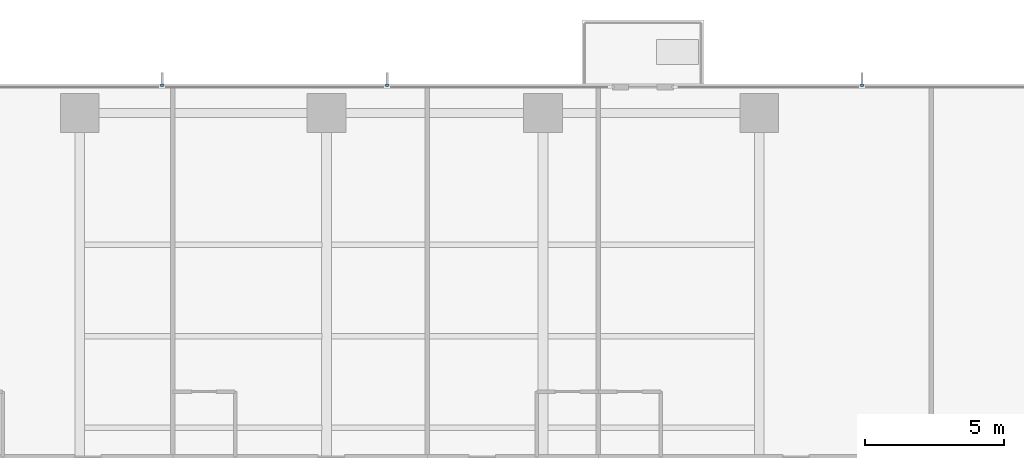
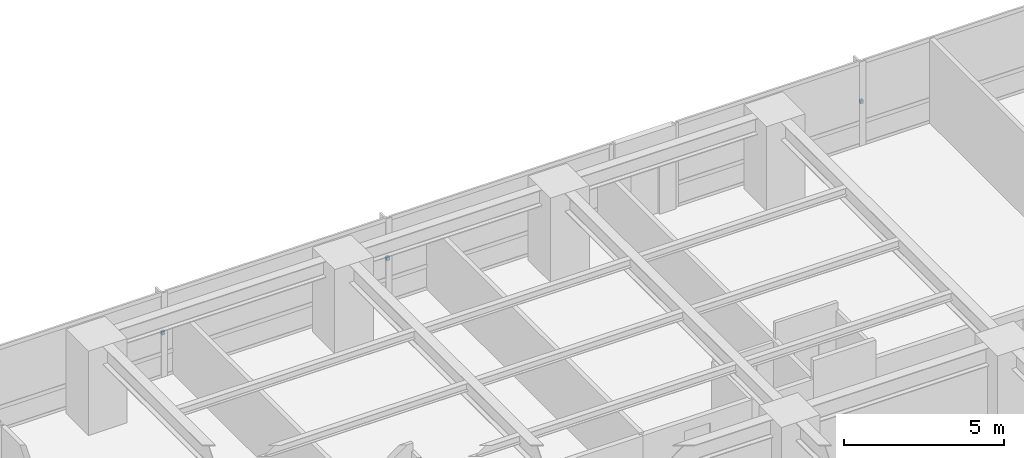
# One storey, part 14 of 16: 3 discrete accessories.
"""IFC4 building model written with IfcOpenShell, lengths in metres."""

import ifcopenshell
import ifcopenshell.guid

model = None  # the IFC model being written
_history = None  # IfcOwnerHistory: only IFC2X3 demands one
_inside = {}  # id of a spatial element -> (the spatial element, [elements in it])
_under = {}  # id of a project, library or spatial element -> (it, [spatial elements below it])
_declared = {}  # id of a project -> (the project, [libraries it declares])
_typed = {}  # id of a type object -> (the type object, [elements of that type])
_made_of = {}  # id of a material, layer set ... -> (it, [elements and type objects made of it])


def new_model(schema):
    """Start an empty IFC model of exactly this schema.

    Asked for "IFC4X3", IfcOpenShell would pick the latest addendum, in which some entities
    have other attributes; the version numbers below select the first issue.
    IFC2X3 requires an IfcOwnerHistory on every rooted entity: one is made here for all.
    """
    global model, _history
    if schema == "IFC4X3":
        model = ifcopenshell.file(schema_version=(4, 3, 0, 0))
    else:
        model = ifcopenshell.file(schema=schema)
    _inside.clear()
    _under.clear()
    _declared.clear()
    _typed.clear()
    _made_of.clear()
    _history = None
    if model.schema == "IFC2X3":
        org = make("IfcOrganization", Name="unknown")
        user = make(
            "IfcPersonAndOrganization",
            ThePerson=make("IfcPerson", FamilyName="unknown"),
            TheOrganization=org,
        )
        app = make(
            "IfcApplication",
            ApplicationDeveloper=org,
            Version="unknown",
            ApplicationFullName="unknown",
            ApplicationIdentifier="unknown",
        )
        _history = make(
            "IfcOwnerHistory",
            OwningUser=user,
            OwningApplication=app,
            ChangeAction="ADDED",
            CreationDate=0,
        )
    return model


def make(cls, **values):
    """One entity of the class cls with the attributes given. An attribute that is None is left unset."""
    return model.create_entity(
        cls, **{name: value for name, value in values.items() if value is not None}
    )


def rooted(cls, **values):
    """An entity with a GlobalId (a new one), such as an element, a storey or a relation."""
    return make(cls, GlobalId=ifcopenshell.guid.new(), OwnerHistory=_history, **values)


def si_unit(unit_type, name, prefix=None):
    """IfcSIUnit, for example si_unit("LENGTHUNIT", "METRE", prefix="MILLI")."""
    return make("IfcSIUnit", UnitType=unit_type, Prefix=prefix, Name=name)


def assignment(units):
    """IfcUnitAssignment: the units of a project."""
    return None if units is None else make("IfcUnitAssignment", Units=units)


def point(xyz):
    """IfcCartesianPoint."""
    return None if xyz is None else make("IfcCartesianPoint", Coordinates=xyz)


def direction(xyz):
    """IfcDirection."""
    return None if xyz is None else make("IfcDirection", DirectionRatios=xyz)


def frame(location, z_axis=None, x_axis=None):
    """IfcAxis2Placement3D, a coordinate frame: its origin and axes. An axis left out is left unset."""
    return make(
        "IfcAxis2Placement3D",
        Location=point(location),
        Axis=direction(z_axis),
        RefDirection=direction(x_axis),
    )


def origin():
    """The frame at (0, 0, 0) with its axes left unset."""
    return frame((0.0, 0.0, 0.0))


def place(relative_to, where):
    """IfcLocalPlacement: puts the frame where relative to a parent placement (None: the world)."""
    return make(
        "IfcLocalPlacement", PlacementRelTo=relative_to, RelativePlacement=where
    )


def context(
    kind, dimensions, precision=None, world=None, true_north=None, identifier=None
):
    """IfcGeometricRepresentationContext, for example the 3D "Model" context."""
    return make(
        "IfcGeometricRepresentationContext",
        ContextIdentifier=identifier,
        ContextType=kind,
        CoordinateSpaceDimension=dimensions,
        Precision=precision,
        WorldCoordinateSystem=world,
        TrueNorth=true_north,
    )


def subcontext(parent, identifier, kind, view, scale=None):
    """IfcGeometricRepresentationSubContext, for example "Body" below "Model"."""
    return make(
        "IfcGeometricRepresentationSubContext",
        ContextIdentifier=identifier,
        ContextType=kind,
        ParentContext=parent,
        TargetScale=scale,
        TargetView=view,
    )


def project(units=None, contexts=None):
    """IfcProject with its units and contexts."""
    return rooted(
        "IfcProject",
        Name="project",
        RepresentationContexts=contexts,
        UnitsInContext=assignment(units),
    )


def spatial(cls, under=None, at=None, **own):
    """A site, building, storey or space (cls), placed at a placement, below another one or the project."""
    s = rooted(cls, ObjectPlacement=at, **own)
    if under is not None:
        _under.setdefault(under.id(), (under, []))[1].append(s)
    return s


def polyline(points):
    """IfcPolyline through the points."""
    return make("IfcPolyline", Points=[point(p) for p in points])


def outline(outer, holes=None, kind="AREA"):
    """IfcArbitraryClosedProfileDef: a profile drawn as a closed curve; with holes, ...WithVoids."""
    if holes is None:
        return make("IfcArbitraryClosedProfileDef", ProfileType=kind, OuterCurve=outer)
    return make(
        "IfcArbitraryProfileDefWithVoids",
        ProfileType=kind,
        OuterCurve=outer,
        InnerCurves=holes,
    )


def extrude(swept, where, along, depth):
    """IfcExtrudedAreaSolid: the profile swept, set in the frame where, extruded along a direction by depth."""
    return make(
        "IfcExtrudedAreaSolid",
        SweptArea=swept,
        Position=where,
        ExtrudedDirection=direction(along),
        Depth=depth,
    )


def shape(context_of_items, identifier, shape_type, items):
    """IfcShapeRepresentation: the items that make up one representation, for example the "Body"."""
    return make(
        "IfcShapeRepresentation",
        ContextOfItems=context_of_items,
        RepresentationIdentifier=identifier,
        RepresentationType=shape_type,
        Items=items,
    )


def material(Name=None, Category=None):
    """IfcMaterial."""
    return make("IfcMaterial", Name=Name, Category=Category)


def made_of(thing, what):
    """Note that an element or type object is made of a material, layer set ...; save() writes the relation."""
    if what is not None:
        _made_of.setdefault(what.id(), (what, []))[1].append(thing)
    return thing


def type_object(cls, material=None, **own):
    """A type object (cls), such as IfcWallType, which elements share."""
    return made_of(rooted(cls, **own), material)


def element(
    cls,
    number,
    at=None,
    inside=None,
    cuts=None,
    type_object=None,
    material=None,
    context=None,
    identifier="Body",
    shape_type=None,
    held_by="IfcProductDefinitionShape",
    body=None,
    shapes=None,
    **own,
):
    """One element of the class cls, such as IfcWall. Its Tag is "e" and its number.

    at: its placement. inside: the storey or other place that contains it. cuts: it is an
    opening in that element (IfcRelVoidsElement). A single representation is given by context,
    identifier, shape_type and body (its items); several are given by shapes. held_by: the class
    of the entity that holds the representations. save() writes the other relations.
    """
    e = rooted(cls, Tag="e%d" % number, ObjectPlacement=at, **own)
    if body is not None:
        shapes = [shape(context, identifier, shape_type, body)]
    if shapes is not None:
        e.Representation = make(held_by, Representations=shapes)
    if inside is not None:
        _inside.setdefault(inside.id(), (inside, []))[1].append(e)
    if cuts is not None:
        rooted(
            "IfcRelVoidsElement", RelatingBuildingElement=cuts, RelatedOpeningElement=e
        )
    if type_object is not None:
        _typed.setdefault(type_object.id(), (type_object, []))[1].append(e)
    return made_of(e, material)


def aggregate(whole, parts):
    """IfcRelAggregates: a whole, such as a stair, and the parts it consists of."""
    return rooted("IfcRelAggregates", RelatingObject=whole, RelatedObjects=parts)


def save(model, path):
    """Write the relations noted so far, then the file.

    IfcRelAggregates (storeys below a building ...), IfcRelContainedInSpatialStructure (elements
    in a storey), IfcRelDefinesByType, IfcRelAssociatesMaterial and IfcRelDeclares: one each for
    every whole, place, type object, material and project.
    """
    for whole, parts in _under.values():
        aggregate(whole, parts)
    for where, things in _inside.values():
        rooted(
            "IfcRelContainedInSpatialStructure",
            RelatedElements=things,
            RelatingStructure=where,
        )
    for kind, things in _typed.values():
        rooted("IfcRelDefinesByType", RelatedObjects=things, RelatingType=kind)
    for what, things in _made_of.values():
        rooted("IfcRelAssociatesMaterial", RelatedObjects=things, RelatingMaterial=what)
    for by, libraries in _declared.values():
        rooted("IfcRelDeclares", RelatingContext=by, RelatedDefinitions=libraries)
    model.write(path)


model = new_model("IFC4")

# Units and contexts
model_context = context("Model", 3, precision=1e-05, world=origin(), true_north=direction((0.0, 1.0)))
body_context = subcontext(model_context, "Body", "Model", "MODEL_VIEW")
ifc_project = project(units=[si_unit("LENGTHUNIT", "METRE"), si_unit("AREAUNIT", "SQUARE_METRE"), si_unit("VOLUMEUNIT", "CUBIC_METRE"), si_unit("PLANEANGLEUNIT", "RADIAN"), si_unit("MASSUNIT", "GRAM", prefix="KILO")], contexts=[model_context])

# Site, building, storey
site_placement = place(None, origin())
site = spatial("IfcSite", under=ifc_project, at=site_placement, CompositionType="ELEMENT")
building_placement = place(site_placement, origin())
building = spatial("IfcBuilding", under=site, at=building_placement, Name="Qalmaran Belvedere Hotel", CompositionType="ELEMENT")
storey_placement = place(building_placement, frame((0.0, 0.0, 64.89990234375)))
storey = spatial("IfcBuildingStorey", under=building, at=storey_placement, Name="L16", CompositionType="ELEMENT", Elevation=64.89990234375)

# Discrete accessories
ifc_material = material(Name="Stainless Steel 1.4401", Category="steel")
discrete_accessory_type = type_object("IfcDiscreteAccessoryType", Name="BRK-FIN-SS316", PredefinedType="BRACKET", material=ifc_material)
discrete_accessory_1_placement = place(storey_placement, frame((0.0, 0.0, 1.56005859375)))
element("IfcDiscreteAccessory", 1, at=discrete_accessory_1_placement, inside=storey, type_object=discrete_accessory_type, Name="L16 Fin Bracket 1", PredefinedType="BRACKET", context=body_context, shape_type="SweptSolid", body=[
    extrude(outline(polyline([(31.438232421875, 48.39501953125), (31.438232421875, 48.492431640625), (31.328369140625, 48.492431640625), (31.328369140625, 48.39501953125), (31.438232421875, 48.39501953125)])), origin(), (0.0, 0.0, 1.0), 0.14013671875),
])
discrete_accessory_2_placement = place(storey_placement, frame((0.0, 0.0, 1.56005859375)))
element("IfcDiscreteAccessory", 2, at=discrete_accessory_2_placement, inside=storey, type_object=discrete_accessory_type, Name="L16 Fin Bracket 2", PredefinedType="BRACKET", context=body_context, shape_type="SweptSolid", body=[
    extrude(outline(polyline([(23.32177734375, 48.39501953125), (23.32177734375, 48.492431640625), (23.211669921875, 48.492431640625), (23.211669921875, 48.39501953125), (23.32177734375, 48.39501953125)])), origin(), (0.0, 0.0, 1.0), 0.14013671875),
])
discrete_accessory_3_placement = place(storey_placement, frame((0.0, 0.0, 1.56005859375)))
element("IfcDiscreteAccessory", 3, at=discrete_accessory_3_placement, inside=storey, type_object=discrete_accessory_type, Name="L16 Fin Bracket 1", PredefinedType="BRACKET", context=body_context, shape_type="SweptSolid", body=[
    extrude(outline(polyline([(48.554931640625, 48.39501953125), (48.554931640625, 48.492431640625), (48.445068359375, 48.492431640625), (48.445068359375, 48.39501953125), (48.554931640625, 48.39501953125)])), origin(), (0.0, 0.0, 1.0), 0.14013671875),
])

save(model, "model.ifc")
